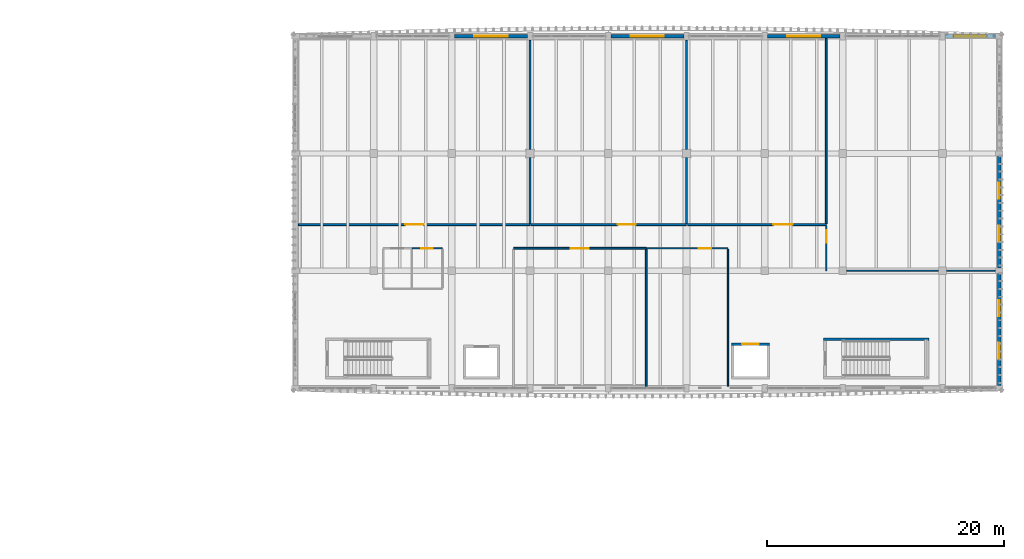
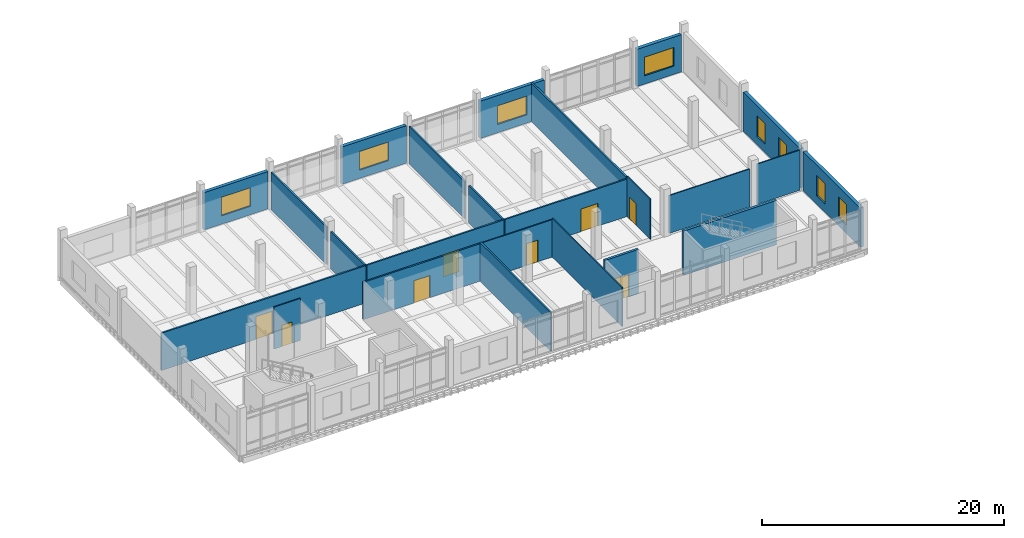
# One storey, part 57 of 76: 24 walls, 8 doors, 8 windows, 16 openings.
"""IFC4 building model written with IfcOpenShell, lengths in metres."""

import ifcopenshell
import ifcopenshell.guid

model = None  # the IFC model being written
_history = None  # IfcOwnerHistory: only IFC2X3 demands one
_inside = {}  # id of a spatial element -> (the spatial element, [elements in it])
_under = {}  # id of a project, library or spatial element -> (it, [spatial elements below it])
_declared = {}  # id of a project -> (the project, [libraries it declares])
_typed = {}  # id of a type object -> (the type object, [elements of that type])
_made_of = {}  # id of a material, layer set ... -> (it, [elements and type objects made of it])


def new_model(schema):
    """Start an empty IFC model of exactly this schema.

    Asked for "IFC4X3", IfcOpenShell would pick the latest addendum, in which some entities
    have other attributes; the version numbers below select the first issue.
    IFC2X3 requires an IfcOwnerHistory on every rooted entity: one is made here for all.
    """
    global model, _history
    if schema == "IFC4X3":
        model = ifcopenshell.file(schema_version=(4, 3, 0, 0))
    else:
        model = ifcopenshell.file(schema=schema)
    _inside.clear()
    _under.clear()
    _declared.clear()
    _typed.clear()
    _made_of.clear()
    _history = None
    if model.schema == "IFC2X3":
        org = make("IfcOrganization", Name="unknown")
        user = make(
            "IfcPersonAndOrganization",
            ThePerson=make("IfcPerson", FamilyName="unknown"),
            TheOrganization=org,
        )
        app = make(
            "IfcApplication",
            ApplicationDeveloper=org,
            Version="unknown",
            ApplicationFullName="unknown",
            ApplicationIdentifier="unknown",
        )
        _history = make(
            "IfcOwnerHistory",
            OwningUser=user,
            OwningApplication=app,
            ChangeAction="ADDED",
            CreationDate=0,
        )
    return model


def make(cls, **values):
    """One entity of the class cls with the attributes given. An attribute that is None is left unset."""
    return model.create_entity(
        cls, **{name: value for name, value in values.items() if value is not None}
    )


def rooted(cls, **values):
    """An entity with a GlobalId (a new one), such as an element, a storey or a relation."""
    return make(cls, GlobalId=ifcopenshell.guid.new(), OwnerHistory=_history, **values)


def si_unit(unit_type, name, prefix=None):
    """IfcSIUnit, for example si_unit("LENGTHUNIT", "METRE", prefix="MILLI")."""
    return make("IfcSIUnit", UnitType=unit_type, Prefix=prefix, Name=name)


def assignment(units):
    """IfcUnitAssignment: the units of a project."""
    return None if units is None else make("IfcUnitAssignment", Units=units)


def point(xyz):
    """IfcCartesianPoint."""
    return None if xyz is None else make("IfcCartesianPoint", Coordinates=xyz)


def direction(xyz):
    """IfcDirection."""
    return None if xyz is None else make("IfcDirection", DirectionRatios=xyz)


def frame(location, z_axis=None, x_axis=None):
    """IfcAxis2Placement3D, a coordinate frame: its origin and axes. An axis left out is left unset."""
    return make(
        "IfcAxis2Placement3D",
        Location=point(location),
        Axis=direction(z_axis),
        RefDirection=direction(x_axis),
    )


def frame_2d(location, x_axis=None):
    """IfcAxis2Placement2D, a coordinate frame in the plane: its origin and x axis."""
    return make(
        "IfcAxis2Placement2D", Location=point(location), RefDirection=direction(x_axis)
    )


def origin():
    """The frame at (0, 0, 0) with its axes left unset."""
    return frame((0.0, 0.0, 0.0))


def place(relative_to, where):
    """IfcLocalPlacement: puts the frame where relative to a parent placement (None: the world)."""
    return make(
        "IfcLocalPlacement", PlacementRelTo=relative_to, RelativePlacement=where
    )


def context(
    kind, dimensions, precision=None, world=None, true_north=None, identifier=None
):
    """IfcGeometricRepresentationContext, for example the 3D "Model" context."""
    return make(
        "IfcGeometricRepresentationContext",
        ContextIdentifier=identifier,
        ContextType=kind,
        CoordinateSpaceDimension=dimensions,
        Precision=precision,
        WorldCoordinateSystem=world,
        TrueNorth=true_north,
    )


def subcontext(parent, identifier, kind, view, scale=None):
    """IfcGeometricRepresentationSubContext, for example "Body" below "Model"."""
    return make(
        "IfcGeometricRepresentationSubContext",
        ContextIdentifier=identifier,
        ContextType=kind,
        ParentContext=parent,
        TargetScale=scale,
        TargetView=view,
    )


def project(units=None, contexts=None):
    """IfcProject with its units and contexts."""
    return rooted(
        "IfcProject",
        Name="project",
        RepresentationContexts=contexts,
        UnitsInContext=assignment(units),
    )


def spatial(cls, under=None, at=None, **own):
    """A site, building, storey or space (cls), placed at a placement, below another one or the project."""
    s = rooted(cls, ObjectPlacement=at, **own)
    if under is not None:
        _under.setdefault(under.id(), (under, []))[1].append(s)
    return s


def profile(cls, at=None, kind="AREA", **sizes):
    """A parametric profile (cls). Its sizes go by their IFC names, for example OverallWidth=200.0."""
    return make(cls, ProfileType=kind, Position=at, **sizes)


def rectangle(**sizes):
    """IfcRectangleProfileDef."""
    return profile("IfcRectangleProfileDef", **sizes)


def extrude(swept, where, along, depth):
    """IfcExtrudedAreaSolid: the profile swept, set in the frame where, extruded along a direction by depth."""
    return make(
        "IfcExtrudedAreaSolid",
        SweptArea=swept,
        Position=where,
        ExtrudedDirection=direction(along),
        Depth=depth,
    )


def shape(context_of_items, identifier, shape_type, items):
    """IfcShapeRepresentation: the items that make up one representation, for example the "Body"."""
    return make(
        "IfcShapeRepresentation",
        ContextOfItems=context_of_items,
        RepresentationIdentifier=identifier,
        RepresentationType=shape_type,
        Items=items,
    )


def material(Name=None, Category=None):
    """IfcMaterial."""
    return make("IfcMaterial", Name=Name, Category=Category)


def layer(
    of_material, thickness, ventilated=None, Name=None, Category=None, Priority=None
):
    """IfcMaterialLayer: one layer of a wall or slab, of a material (None: an air gap)."""
    return make(
        "IfcMaterialLayer",
        Material=of_material,
        LayerThickness=thickness,
        IsVentilated=ventilated,
        Name=Name,
        Category=Category,
        Priority=Priority,
    )


def layer_set(layers, Name=None):
    """IfcMaterialLayerSet."""
    return make("IfcMaterialLayerSet", MaterialLayers=layers, LayerSetName=Name)


def made_of(thing, what):
    """Note that an element or type object is made of a material, layer set ...; save() writes the relation."""
    if what is not None:
        _made_of.setdefault(what.id(), (what, []))[1].append(thing)
    return thing


def type_object(cls, material=None, **own):
    """A type object (cls), such as IfcWallType, which elements share."""
    return made_of(rooted(cls, **own), material)


def element(
    cls,
    number,
    at=None,
    inside=None,
    cuts=None,
    type_object=None,
    material=None,
    context=None,
    identifier="Body",
    shape_type=None,
    held_by="IfcProductDefinitionShape",
    body=None,
    shapes=None,
    **own,
):
    """One element of the class cls, such as IfcWall. Its Tag is "e" and its number.

    at: its placement. inside: the storey or other place that contains it. cuts: it is an
    opening in that element (IfcRelVoidsElement). A single representation is given by context,
    identifier, shape_type and body (its items); several are given by shapes. held_by: the class
    of the entity that holds the representations. save() writes the other relations.
    """
    e = rooted(cls, Tag="e%d" % number, ObjectPlacement=at, **own)
    if body is not None:
        shapes = [shape(context, identifier, shape_type, body)]
    if shapes is not None:
        e.Representation = make(held_by, Representations=shapes)
    if inside is not None:
        _inside.setdefault(inside.id(), (inside, []))[1].append(e)
    if cuts is not None:
        rooted(
            "IfcRelVoidsElement", RelatingBuildingElement=cuts, RelatedOpeningElement=e
        )
    if type_object is not None:
        _typed.setdefault(type_object.id(), (type_object, []))[1].append(e)
    return made_of(e, material)


def fill(opening, filler):
    """IfcRelFillsElement: the door or window that sits in an opening."""
    return rooted(
        "IfcRelFillsElement",
        RelatingOpeningElement=opening,
        RelatedBuildingElement=filler,
    )


def aggregate(whole, parts):
    """IfcRelAggregates: a whole, such as a stair, and the parts it consists of."""
    return rooted("IfcRelAggregates", RelatingObject=whole, RelatedObjects=parts)


def save(model, path):
    """Write the relations noted so far, then the file.

    IfcRelAggregates (storeys below a building ...), IfcRelContainedInSpatialStructure (elements
    in a storey), IfcRelDefinesByType, IfcRelAssociatesMaterial and IfcRelDeclares: one each for
    every whole, place, type object, material and project.
    """
    for whole, parts in _under.values():
        aggregate(whole, parts)
    for where, things in _inside.values():
        rooted(
            "IfcRelContainedInSpatialStructure",
            RelatedElements=things,
            RelatingStructure=where,
        )
    for kind, things in _typed.values():
        rooted("IfcRelDefinesByType", RelatedObjects=things, RelatingType=kind)
    for what, things in _made_of.values():
        rooted("IfcRelAssociatesMaterial", RelatedObjects=things, RelatingMaterial=what)
    for by, libraries in _declared.values():
        rooted("IfcRelDeclares", RelatingContext=by, RelatedDefinitions=libraries)
    model.write(path)


model = new_model("IFC4")

# Units and contexts
model_context = context("Model", 3, precision=1e-05, world=origin(), true_north=direction((0.0, 1.0)))
body_context = subcontext(model_context, "Body", "Model", "MODEL_VIEW")
ifc_project = project(units=[si_unit("LENGTHUNIT", "METRE"), si_unit("AREAUNIT", "SQUARE_METRE"), si_unit("VOLUMEUNIT", "CUBIC_METRE"), si_unit("PLANEANGLEUNIT", "RADIAN"), si_unit("MASSUNIT", "GRAM", prefix="KILO")], contexts=[model_context])

# Site, building, storey
site_placement = place(None, origin())
site = spatial("IfcSite", under=ifc_project, at=site_placement, CompositionType="ELEMENT")
building_placement = place(site_placement, origin())
building = spatial("IfcBuilding", under=site, at=building_placement, Name="Dornvale Research Institute", CompositionType="ELEMENT")
storey_placement = place(building_placement, frame((0.0, 0.0, 15.0)))
storey = spatial("IfcBuildingStorey", under=building, at=storey_placement, Name="L03", CompositionType="ELEMENT", Elevation=15.0)

# Wall, opening, door
ifc_material_1 = material(Name="Acoustic Insulated Double-Stud Laboratory Partition")
ifc_layer_1 = layer(ifc_material_1, 0.14990234375)
ifc_layer_set_1 = layer_set([ifc_layer_1], Name="Acoustic Insulated Double-Stud Laboratory Partition")
wall_type_1 = type_object("IfcWallType", Name="Partition_Lab_150", PredefinedType="PARTITIONING", material=ifc_layer_set_1)
wall_1_placement = place(storey_placement, frame((119.0400390625, 106.199951171875, 0.0), z_axis=(0.0, 0.0, 1.0), x_axis=(1.0, 0.0, 0.0)))
wall_1 = element("IfcWall", 1, at=wall_1_placement, inside=storey, type_object=wall_type_1, Name="L03 V4 interior partition #360", PredefinedType="PARTITIONING", context=body_context, shape_type="SweptSolid", body=[
    extrude(rectangle(XDim=19.56005859375, YDim=0.14990234375, at=frame_2d((9.780029296875, 0.0))), origin(), (0.0, 0.0, 1.0), 3.780029296875),
])
opening_1_placement = place(wall_1_placement, frame((9.02001953125, 0.0, 0.0)))
opening_1 = element("IfcOpeningElement", 2, at=opening_1_placement, cuts=wall_1, Name="Opening ID-05", PredefinedType="OPENING", context=body_context, shape_type="SweptSolid", body=[
    extrude(rectangle(XDim=1.56005859375, YDim=2.300048828125, at=frame_2d((0.780029296875, 1.14990234375))), frame((0.0, 0.08984375, 0.0), z_axis=(0.0, -1.0, 0.0), x_axis=(1.0, 0.0, 0.0)), (0.0, 0.0, 1.0), 0.179931640625),
])
ifc_material_2 = material(Name="Insulated Fire-Rated Hollow Metal Door Assembly")
door_type_1 = type_object("IfcDoorType", Name="Door_WetLab_1560x2300", OperationType="SINGLE_SWING_LEFT", PredefinedType="DOOR", material=ifc_material_2)
door_1_placement = place(opening_1_placement, origin())
door_1 = element("IfcDoor", 3, at=door_1_placement, inside=storey, type_object=door_type_1, Name="L03 Systems Biology Wet Laboratory door #146", OperationType="SINGLE_SWING_LEFT", OverallHeight=2.300048828125, OverallWidth=1.56005859375, PredefinedType="DOOR", context=body_context, shape_type="SweptSolid", body=[
    extrude(rectangle(XDim=1.56005859375, YDim=2.300048828125, at=frame_2d((0.780029296875, 1.14990234375))), frame((0.0, 0.02490234375, 0.0), z_axis=(0.0, -1.0, 0.0), x_axis=(1.0, 0.0, 0.0)), (0.0, 0.0, 1.0), 0.050048828125),
])
fill(opening_1, door_1)

# Walls
wall_2_placement = place(storey_placement, frame((138.60009765625, 106.2900390625, 0.0), z_axis=(0.0, 0.0, 1.0), x_axis=(0.0, 1.0, 0.0)))
element("IfcWall", 4, at=wall_2_placement, inside=storey, type_object=wall_type_1, Name="L03 V4 interior partition #361", PredefinedType="PARTITIONING", context=body_context, shape_type="SweptSolid", body=[
    extrude(rectangle(XDim=5.56494140625, YDim=0.14990234375, at=frame_2d((2.782470703125, 0.0))), origin(), (0.0, 0.0, 1.0), 3.780029296875),
])
wall_3_placement = place(storey_placement, frame((138.60009765625, 112.544921875, 0.0), z_axis=(0.0, 0.0, 1.0), x_axis=(0.0, 1.0, 0.0)))
element("IfcWall", 5, at=wall_3_placement, inside=storey, type_object=wall_type_1, Name="L03 V4 interior partition #362", PredefinedType="PARTITIONING", context=body_context, shape_type="SweptSolid", body=[
    extrude(rectangle(XDim=9.2099609375, YDim=0.14990234375, at=frame_2d((4.60498046875, 0.0))), origin(), (0.0, 0.0, 1.0), 3.780029296875),
])

# Wall, opening, door
wall_4_placement = place(storey_placement, frame((138.68994140625, 106.199951171875, 0.0), z_axis=(0.0, 0.0, 1.0), x_axis=(1.0, 0.0, 0.0)))
wall_4 = element("IfcWall", 6, at=wall_4_placement, inside=storey, type_object=wall_type_1, Name="L03 V4 interior partition #363", PredefinedType="PARTITIONING", context=body_context, shape_type="SweptSolid", body=[
    extrude(rectangle(XDim=13.110107421875, YDim=0.14990234375, at=frame_2d((6.55517578125, 0.0))), origin(), (0.0, 0.0, 1.0), 3.780029296875),
])
opening_2_placement = place(wall_4_placement, frame((7.31005859375, 0.0, 0.0)))
opening_2 = element("IfcOpeningElement", 7, at=opening_2_placement, cuts=wall_4, Name="Opening ID-06", PredefinedType="OPENING", context=body_context, shape_type="SweptSolid", body=[
    extrude(rectangle(XDim=1.5, YDim=2.25, at=frame_2d((0.75, 1.125))), frame((0.0, 0.08984375, 0.0), z_axis=(0.0, -1.0, 0.0), x_axis=(1.0, 0.0, 0.0)), (0.0, 0.0, 1.0), 0.179931640625),
])
ifc_material_3 = material(Name="Insulated Fire-Rated Hollow Metal Door Assembly")
door_type_2 = type_object("IfcDoorType", Name="Door_WetLab_1500x2250", OperationType="SINGLE_SWING_LEFT", PredefinedType="DOOR", material=ifc_material_3)
door_2_placement = place(opening_2_placement, origin())
door_2 = element("IfcDoor", 8, at=door_2_placement, inside=storey, type_object=door_type_2, Name="L03 Proteomics and Mass Spectrometry Suite door #147", OperationType="SINGLE_SWING_RIGHT", OverallHeight=2.25, OverallWidth=1.5, PredefinedType="DOOR", context=body_context, shape_type="SweptSolid", body=[
    extrude(rectangle(XDim=1.5, YDim=2.25, at=frame_2d((0.75, 1.125))), frame((0.0, 0.02490234375, 0.0), z_axis=(0.0, -1.0, 0.0), x_axis=(1.0, 0.0, 0.0)), (0.0, 0.0, 1.0), 0.050048828125),
])
fill(opening_2, door_2)

# Walls
wall_5_placement = place(storey_placement, frame((151.800048828125, 106.2900390625, 0.0), z_axis=(0.0, 0.0, 1.0), x_axis=(0.0, 1.0, 0.0)))
element("IfcWall", 9, at=wall_5_placement, inside=storey, type_object=wall_type_1, Name="L03 V4 interior partition #364", PredefinedType="PARTITIONING", context=body_context, shape_type="SweptSolid", body=[
    extrude(rectangle(XDim=5.56494140625, YDim=0.14990234375, at=frame_2d((2.782470703125, 0.0))), origin(), (0.0, 0.0, 1.0), 3.780029296875),
])
wall_6_placement = place(storey_placement, frame((151.800048828125, 112.544921875, 0.0), z_axis=(0.0, 0.0, 1.0), x_axis=(0.0, 1.0, 0.0)))
element("IfcWall", 10, at=wall_6_placement, inside=storey, type_object=wall_type_1, Name="L03 V4 interior partition #365", PredefinedType="PARTITIONING", context=body_context, shape_type="SweptSolid", body=[
    extrude(rectangle(XDim=9.2099609375, YDim=0.14990234375, at=frame_2d((4.60498046875, 0.0))), origin(), (0.0, 0.0, 1.0), 3.780029296875),
])

# Wall, opening, door
wall_7_placement = place(storey_placement, frame((151.889892578125, 106.199951171875, 0.0), z_axis=(0.0, 0.0, 1.0), x_axis=(1.0, 0.0, 0.0)))
wall_7 = element("IfcWall", 11, at=wall_7_placement, inside=storey, type_object=wall_type_1, Name="L03 V4 interior partition #366", PredefinedType="PARTITIONING", context=body_context, shape_type="SweptSolid", body=[
    extrude(rectangle(XDim=11.710205078125, YDim=0.14990234375, at=frame_2d((5.85498046875, 0.0))), origin(), (0.0, 0.0, 1.0), 3.780029296875),
])
opening_3_placement = place(wall_7_placement, frame((7.25, 0.0, 0.0)))
opening_3 = element("IfcOpeningElement", 12, at=opening_3_placement, cuts=wall_7, Name="Opening ID-04", PredefinedType="OPENING", context=body_context, shape_type="SweptSolid", body=[
    extrude(rectangle(XDim=1.6201171875, YDim=2.300048828125, at=frame_2d((0.81005859375, 1.14990234375))), frame((0.0, 0.08984375, 0.0), z_axis=(0.0, -1.0, 0.0), x_axis=(1.0, 0.0, 0.0)), (0.0, 0.0, 1.0), 0.179931640625),
])
ifc_material_4 = material(Name="Insulated Fire-Rated Hollow Metal Door Assembly")
door_type_3 = type_object("IfcDoorType", Name="Door_WetLab_1620x2300", OperationType="SINGLE_SWING_LEFT", PredefinedType="DOOR", material=ifc_material_4)
door_3_placement = place(opening_3_placement, origin())
door_3 = element("IfcDoor", 13, at=door_3_placement, inside=storey, type_object=door_type_3, Name="L03 Media Preparation and Autoclave Room door #148", OperationType="SINGLE_SWING_LEFT", OverallHeight=2.300048828125, OverallWidth=1.6201171875, PredefinedType="DOOR", context=body_context, shape_type="SweptSolid", body=[
    extrude(rectangle(XDim=1.6201171875, YDim=2.300048828125, at=frame_2d((0.81005859375, 1.14990234375))), frame((0.0, 0.02490234375, 0.0), z_axis=(0.0, -1.0, 0.0), x_axis=(1.0, 0.0, 0.0)), (0.0, 0.0, 1.0), 0.050048828125),
])
fill(opening_3, door_3)

# Wall
wall_8_placement = place(storey_placement, frame((163.60009765625, 106.2900390625, 0.0), z_axis=(0.0, 0.0, 1.0), x_axis=(0.0, 1.0, 0.0)))
element("IfcWall", 14, at=wall_8_placement, inside=storey, type_object=wall_type_1, Name="L03 V4 interior partition #367", PredefinedType="PARTITIONING", context=body_context, shape_type="SweptSolid", body=[
    extrude(rectangle(XDim=15.635009765625, YDim=0.14990234375, at=frame_2d((7.8173828125, 0.0))), origin(), (0.0, 0.0, 1.0), 3.929931640625),
])

# Wall, opening, door
wall_9_placement = place(storey_placement, frame((137.199951171875, 104.199951171875, 0.0), z_axis=(0.0, 0.0, 1.0), x_axis=(1.0, 0.0, 0.0)))
wall_9 = element("IfcWall", 15, at=wall_9_placement, inside=storey, type_object=wall_type_1, Name="L03 V4 interior partition #371", PredefinedType="PARTITIONING", context=body_context, shape_type="SweptSolid", body=[
    extrude(rectangle(XDim=11.199951171875, YDim=0.14990234375, at=frame_2d((5.60009765625, 0.0))), origin(), (0.0, 0.0, 1.0), 3.780029296875),
])
opening_4_placement = place(wall_9_placement, frame((4.85009765625, 0.0, 0.0)))
opening_4 = element("IfcOpeningElement", 16, at=opening_4_placement, cuts=wall_9, Name="Opening ID-06", PredefinedType="OPENING", context=body_context, shape_type="SweptSolid", body=[
    extrude(rectangle(XDim=1.5, YDim=2.25, at=frame_2d((0.75, 1.125))), frame((0.0, 0.08984375, 0.0), z_axis=(0.0, -1.0, 0.0), x_axis=(1.0, 0.0, 0.0)), (0.0, 0.0, 1.0), 0.179931640625),
])
door_4_placement = place(opening_4_placement, origin())
door_4 = element("IfcDoor", 17, at=door_4_placement, inside=storey, type_object=door_type_2, Name="L03 Laboratory Instrument Support Room L03 door #150", OperationType="SINGLE_SWING_LEFT", OverallHeight=2.25, OverallWidth=1.5, PredefinedType="DOOR", context=body_context, shape_type="SweptSolid", body=[
    extrude(rectangle(XDim=1.5, YDim=2.25, at=frame_2d((0.75, 1.125))), frame((0.0, 0.02490234375, 0.0), z_axis=(0.0, -1.0, 0.0), x_axis=(1.0, 0.0, 0.0)), (0.0, 0.0, 1.0), 0.050048828125),
])
fill(opening_4, door_4)

# Wall
wall_10_placement = place(storey_placement, frame((148.39990234375, 92.43994140625, 0.0), z_axis=(0.0, 0.0, 1.0), x_axis=(0.0, 1.0, 0.0)))
element("IfcWall", 18, at=wall_10_placement, inside=storey, type_object=wall_type_1, Name="L03 V4 interior partition #373", PredefinedType="PARTITIONING", context=body_context, shape_type="SweptSolid", body=[
    extrude(rectangle(XDim=11.670166015625, YDim=0.14990234375, at=frame_2d((5.8349609375, 0.0))), origin(), (0.0, 0.0, 1.0), 3.929931640625),
])

# Wall, opening, door
ifc_material_5 = material(Name="Acoustic Insulated Double-Stud Laboratory Partition")
ifc_layer_2 = layer(ifc_material_5, 0.10009765625)
ifc_layer_set_2 = layer_set([ifc_layer_2], Name="Acoustic Insulated Double-Stud Laboratory Partition")
wall_type_2 = type_object("IfcWallType", Name="Partition_Office_100", PredefinedType="PARTITIONING", material=ifc_layer_set_2)
wall_11_placement = place(storey_placement, frame((128.6650390625, 104.199951171875, 0.0), z_axis=(0.0, 0.0, 1.0), x_axis=(1.0, 0.0, 0.0)))
wall_11 = element("IfcWall", 19, at=wall_11_placement, inside=storey, type_object=wall_type_2, Name="L03 V4 interior partition #358", PredefinedType="PARTITIONING", context=body_context, shape_type="SweptSolid", body=[
    extrude(rectangle(XDim=2.534912109375, YDim=0.10009765625, at=frame_2d((1.267578125, 0.0))), origin(), (0.0, 0.0, 1.0), 4.2451171875),
])
opening_5_placement = place(wall_11_placement, frame((0.760009765625, 0.0, 0.0)))
opening_5 = element("IfcOpeningElement", 20, at=opening_5_placement, cuts=wall_11, Name="Opening ID-23", PredefinedType="OPENING", context=body_context, shape_type="SweptSolid", body=[
    extrude(rectangle(XDim=0.949951171875, YDim=2.14990234375, at=frame_2d((0.47509765625, 1.074951171875))), frame((0.0, 0.06494140625, 0.0), z_axis=(0.0, -1.0, 0.0), x_axis=(1.0, 0.0, 0.0)), (0.0, 0.0, 1.0), 0.130126953125),
])
ifc_material_6 = material(Name="Phenolic-Faced Solid-Core Laboratory Door Assembly")
door_type_4 = type_object("IfcDoorType", Name="Door_WC_950x2150", OperationType="SINGLE_SWING_LEFT", PredefinedType="DOOR", material=ifc_material_6)
door_5_placement = place(opening_5_placement, origin())
door_5 = element("IfcDoor", 21, at=door_5_placement, inside=storey, type_object=door_type_4, Name="L03 Wet Wing Female and Accessible Restroom L03 door #145", OperationType="SINGLE_SWING_RIGHT", OverallHeight=2.14990234375, OverallWidth=0.949951171875, PredefinedType="DOOR", context=body_context, shape_type="SweptSolid", body=[
    extrude(rectangle(XDim=0.949951171875, YDim=2.14990234375, at=frame_2d((0.47509765625, 1.074951171875))), frame((0.0, 0.02490234375, 0.0), z_axis=(0.0, -1.0, 0.0), x_axis=(1.0, 0.0, 0.0)), (0.0, 0.0, 1.0), 0.050048828125),
])
fill(opening_5, door_5)

# Walls
wall_12_placement = place(storey_placement, frame((165.344970703125, 102.300048828125, 0.0), z_axis=(0.0, 0.0, 1.0), x_axis=(1.0, 0.0, 0.0)))
element("IfcWall", 22, at=wall_12_placement, inside=storey, type_object=wall_type_2, Name="L03 V4 interior partition #368", PredefinedType="PARTITIONING", context=body_context, shape_type="SweptSolid", body=[
    extrude(rectangle(XDim=7.7099609375, YDim=0.10009765625, at=frame_2d((3.85498046875, 0.0))), origin(), (0.0, 0.0, 1.0), 3.830078125),
])
wall_13_placement = place(storey_placement, frame((173.7451171875, 102.300048828125, 0.0), z_axis=(0.0, 0.0, 1.0), x_axis=(1.0, 0.0, 0.0)))
element("IfcWall", 23, at=wall_13_placement, inside=storey, type_object=wall_type_2, Name="L03 V4 interior partition #369", PredefinedType="PARTITIONING", context=body_context, shape_type="SweptSolid", body=[
    extrude(rectangle(XDim=4.10986328125, YDim=0.10009765625, at=frame_2d((2.054931640625, 0.0))), origin(), (0.0, 0.0, 1.0), 4.06494140625),
])

# Wall, opening, door
wall_14_placement = place(storey_placement, frame((163.60009765625, 102.300048828125, 0.0), z_axis=(0.0, 0.0, 1.0), x_axis=(0.0, 1.0, 0.0)))
wall_14 = element("IfcWall", 24, at=wall_14_placement, inside=storey, type_object=wall_type_2, Name="L03 V4 interior partition #370", PredefinedType="PARTITIONING", context=body_context, shape_type="SweptSolid", body=[
    extrude(rectangle(XDim=3.81005859375, YDim=0.10009765625, at=frame_2d((1.905029296875, 0.0))), origin(), (0.0, 0.0, 1.0), 4.06494140625),
])
opening_6_placement = place(wall_14_placement, frame((2.3701171875, 0.0, 0.0)))
opening_6 = element("IfcOpeningElement", 25, at=opening_6_placement, cuts=wall_14, Name="Opening ID-19", PredefinedType="OPENING", context=body_context, shape_type="SweptSolid", body=[
    extrude(rectangle(XDim=1.06005859375, YDim=2.199951171875, at=frame_2d((0.530029296875, 1.10009765625))), frame((0.0, 0.06494140625, 0.0), z_axis=(0.0, -1.0, 0.0), x_axis=(1.0, 0.0, 0.0)), (0.0, 0.0, 1.0), 0.130126953125),
])
ifc_material_7 = material(Name="Phenolic-Faced Solid-Core Laboratory Door Assembly")
door_type_5 = type_object("IfcDoorType", Name="Door_WriteUp_1060x2200", OperationType="SINGLE_SWING_LEFT", PredefinedType="DOOR", material=ifc_material_7)
door_6_placement = place(opening_6_placement, origin())
door_6 = element("IfcDoor", 26, at=door_6_placement, inside=storey, type_object=door_type_5, Name="L03 Researcher Write-Up Studio L03-V4 door #149", OperationType="SINGLE_SWING_RIGHT", OverallHeight=2.199951171875, OverallWidth=1.06005859375, PredefinedType="DOOR", context=body_context, shape_type="SweptSolid", body=[
    extrude(rectangle(XDim=1.06005859375, YDim=2.199951171875, at=frame_2d((0.530029296875, 1.10009765625))), frame((0.0, 0.02490234375, 0.0), z_axis=(0.0, -1.0, 0.0), x_axis=(1.0, 0.0, 0.0)), (0.0, 0.0, 1.0), 0.050048828125),
])
fill(opening_6, door_6)

wall_15_placement = place(storey_placement, frame((148.4150390625, 104.199951171875, 0.0), z_axis=(0.0, 0.0, 1.0), x_axis=(1.0, 0.0, 0.0)))
wall_15 = element("IfcWall", 27, at=wall_15_placement, inside=storey, type_object=wall_type_2, Name="L03 V4 interior partition #374", PredefinedType="PARTITIONING", context=body_context, shape_type="SweptSolid", body=[
    extrude(rectangle(XDim=6.885009765625, YDim=0.10009765625, at=frame_2d((3.4423828125, 0.0))), origin(), (0.0, 0.0, 1.0), 3.780029296875),
])
opening_7_placement = place(wall_15_placement, frame((4.405029296875, 0.0, 0.0)))
opening_7 = element("IfcOpeningElement", 28, at=opening_7_placement, cuts=wall_15, Name="Opening ID-19", PredefinedType="OPENING", context=body_context, shape_type="SweptSolid", body=[
    extrude(rectangle(XDim=1.06005859375, YDim=2.199951171875, at=frame_2d((0.530029296875, 1.10009765625))), frame((0.0, 0.06494140625, 0.0), z_axis=(0.0, -1.0, 0.0), x_axis=(1.0, 0.0, 0.0)), (0.0, 0.0, 1.0), 0.130126953125),
])
door_7_placement = place(opening_7_placement, origin())
door_7 = element("IfcDoor", 29, at=door_7_placement, inside=storey, type_object=door_type_5, Name="L03 Wet Laboratory Write-Up Bays L03 door #151", OperationType="SINGLE_SWING_RIGHT", OverallHeight=2.199951171875, OverallWidth=1.06005859375, PredefinedType="DOOR", context=body_context, shape_type="SweptSolid", body=[
    extrude(rectangle(XDim=1.06005859375, YDim=2.199951171875, at=frame_2d((0.530029296875, 1.10009765625))), frame((0.0, 0.02490234375, 0.0), z_axis=(0.0, -1.0, 0.0), x_axis=(1.0, 0.0, 0.0)), (0.0, 0.0, 1.0), 0.050048828125),
])
fill(opening_7, door_7)

# Walls
wall_16_placement = place(storey_placement, frame((155.300048828125, 92.574951171875, 0.0), z_axis=(0.0, 0.0, 1.0), x_axis=(0.0, 1.0, 0.0)))
element("IfcWall", 30, at=wall_16_placement, inside=storey, type_object=wall_type_2, Name="L03 V4 interior partition #375", PredefinedType="PARTITIONING", context=body_context, shape_type="SweptSolid", body=[
    extrude(rectangle(XDim=11.56005859375, YDim=0.10009765625, at=frame_2d((5.780029296875, 0.0))), origin(), (0.0, 0.0, 1.0), 3.929931640625),
])
ifc_material_8 = material(Name="Concrete f'c 45 MPa (C35/45)", Category="concrete")
ifc_layer_3 = layer(ifc_material_8, 0.25)
ifc_layer_set_3 = layer_set([ifc_layer_3], Name="Concrete f'c 45 MPa (C35/45)")
wall_type_3 = type_object("IfcWallType", Name="ShearWall_Core_250", PredefinedType="SHEAR", material=ifc_layer_set_3)
wall_17_placement = place(storey_placement, frame((163.35009765625, 96.52490234375, 0.0), z_axis=(0.0, 0.0, 1.0), x_axis=(1.0, 0.0, 0.0)))
element("IfcWall", 31, at=wall_17_placement, inside=storey, type_object=wall_type_3, Name="L03 ST-4 shaft shear wall north", PredefinedType="SHEAR", context=body_context, shape_type="SweptSolid", body=[
    extrude(rectangle(XDim=8.89990234375, YDim=0.25, at=frame_2d((4.449951171875, 0.0))), origin(), (0.0, 0.0, 1.0), 4.47998046875),
])

# Wall, opening, door
ifc_material_9 = material(Name="Concrete f'c 45 MPa (C35/45)", Category="concrete")
ifc_layer_4 = layer(ifc_material_9, 0.219970703125)
ifc_layer_set_4 = layer_set([ifc_layer_4], Name="Concrete f'c 45 MPa (C35/45)")
wall_type_4 = type_object("IfcWallType", Name="ShearWall_Shaft_220", PredefinedType="SHEAR", material=ifc_layer_set_4)
wall_18_placement = place(storey_placement, frame((155.580078125, 96.110107421875, 0.0), z_axis=(0.0, 0.0, 1.0), x_axis=(1.0, 0.0, 0.0)))
wall_18 = element("IfcWall", 32, at=wall_18_placement, inside=storey, type_object=wall_type_4, Name="L03 LS1 elevator shaft wall north", PredefinedType="SHEAR", context=body_context, shape_type="SweptSolid", body=[
    extrude(rectangle(XDim=3.239990234375, YDim=0.219970703125, at=frame_2d((1.6201171875, 0.0))), origin(), (0.0, 0.0, 1.0), 4.47998046875),
])
opening_8_placement = place(wall_18_placement, frame((0.919921875, 0.0, 0.0)))
opening_8 = element("IfcOpeningElement", 33, at=opening_8_placement, cuts=wall_18, Name="Opening LD-03", PredefinedType="OPENING", context=body_context, shape_type="SweptSolid", body=[
    extrude(rectangle(XDim=1.39990234375, YDim=2.300048828125, at=frame_2d((0.699951171875, 1.14990234375))), frame((0.0, 0.125, 0.0), z_axis=(0.0, -1.0, 0.0), x_axis=(1.0, 0.0, 0.0)), (0.0, 0.0, 1.0), 0.25),
])
ifc_material_10 = material(Name="Brushed Stainless Steel Sliding Elevator Landing Door", Category="steel")
door_type_6 = type_object("IfcDoorType", Name="Door_LiftLanding_Serv_1400x2300", OperationType="SINGLE_SWING_LEFT", PredefinedType="DOOR", material=ifc_material_10)
door_8_placement = place(opening_8_placement, origin())
door_8 = element("IfcDoor", 34, at=door_8_placement, inside=storey, type_object=door_type_6, Name="L03 LS1 sliding elevator landing door #49", OperationType="DOUBLE_DOOR_SLIDING", OverallHeight=2.300048828125, OverallWidth=1.39990234375, PredefinedType="DOOR", context=body_context, shape_type="SweptSolid", body=[
    extrude(rectangle(XDim=1.39990234375, YDim=2.300048828125, at=frame_2d((0.699951171875, 1.14990234375))), frame((0.0, 0.02490234375, 0.0), z_axis=(0.0, -1.0, 0.0), x_axis=(1.0, 0.0, 0.0)), (0.0, 0.0, 1.0), 0.050048828125),
])
fill(opening_8, door_8)

# Wall, opening, window
ifc_material_11 = material(Name="Catalan Pressed Brick and Insulated Cavity Assembly", Category="masonry")
ifc_layer_5 = layer(ifc_material_11, 0.320068359375)
ifc_layer_set_5 = layer_set([ifc_layer_5], Name="Catalan Pressed Brick and Insulated Cavity Assembly")
wall_type_5 = type_object("IfcWallType", Name="StandardWall_BrickCavity_320", PredefinedType="STANDARD", material=ifc_layer_set_5)
wall_19_placement = place(storey_placement, frame((132.22509765625, 122.10009765625, 0.0), z_axis=(0.0, 0.0, 1.0), x_axis=(1.0, 0.0, 0.0)))
wall_19 = element("IfcWall", 35, at=wall_19_placement, inside=storey, type_object=wall_type_5, Name="L03 V4 north exterior wall #235", PredefinedType="STANDARD", context=body_context, shape_type="SweptSolid", body=[
    extrude(rectangle(XDim=6.14990234375, YDim=0.320068359375, at=frame_2d((3.074951171875, 0.0))), origin(), (0.0, 0.0, 1.0), 3.780029296875),
])
opening_9_placement = place(wall_19_placement, frame((1.675048828125, 0.0, 0.85009765625)))
opening_9 = element("IfcOpeningElement", 36, at=opening_9_placement, cuts=wall_19, Name="Opening W-35", PredefinedType="OPENING", context=body_context, shape_type="SweptSolid", body=[
    extrude(rectangle(XDim=2.800048828125, YDim=1.8798828125, at=frame_2d((1.39990234375, 0.93994140625))), frame((0.0, 0.175048828125, 0.0), z_axis=(0.0, -1.0, 0.0), x_axis=(1.0, 0.0, 0.0)), (0.0, 0.0, 1.0), 0.35009765625),
])
ifc_material_12 = material(Name="Low-E Argon Double Insulating Glazing Unit", Category="glass")
window_type_1 = type_object("IfcWindowType", Name="Window_Alu_2800x1880_35", PartitioningType="DOUBLE_PANEL_VERTICAL", PredefinedType="WINDOW", material=ifc_material_12)
window_1_placement = place(opening_9_placement, origin())
window_1 = element("IfcWindow", 37, at=window_1_placement, inside=storey, type_object=window_type_1, Name="L03 V4 facade window W-35 #316", OverallHeight=1.8798828125, OverallWidth=2.800048828125, PartitioningType="DOUBLE_PANEL_VERTICAL", PredefinedType="WINDOW", context=body_context, shape_type="SweptSolid", body=[
    extrude(rectangle(XDim=2.800048828125, YDim=1.8798828125, at=frame_2d((1.39990234375, 0.93994140625))), frame((0.0, 0.030029296875, 0.0), z_axis=(0.0, -1.0, 0.0), x_axis=(1.0, 0.0, 0.0)), (0.0, 0.0, 1.0), 0.06005859375),
])
fill(opening_9, window_1)

wall_20_placement = place(storey_placement, frame((145.425048828125, 122.10009765625, 0.0), z_axis=(0.0, 0.0, 1.0), x_axis=(1.0, 0.0, 0.0)))
wall_20 = element("IfcWall", 38, at=wall_20_placement, inside=storey, type_object=wall_type_5, Name="L03 V4 north exterior wall #236", PredefinedType="STANDARD", context=body_context, shape_type="SweptSolid", body=[
    extrude(rectangle(XDim=6.14990234375, YDim=0.320068359375, at=frame_2d((3.074951171875, 0.0))), origin(), (0.0, 0.0, 1.0), 3.780029296875),
])
opening_10_placement = place(wall_20_placement, frame((1.675048828125, 0.0, 0.85009765625)))
opening_10 = element("IfcOpeningElement", 39, at=opening_10_placement, cuts=wall_20, Name="Opening W-35", PredefinedType="OPENING", context=body_context, shape_type="SweptSolid", body=[
    extrude(rectangle(XDim=2.800048828125, YDim=1.8798828125, at=frame_2d((1.39990234375, 0.93994140625))), frame((0.0, 0.175048828125, 0.0), z_axis=(0.0, -1.0, 0.0), x_axis=(1.0, 0.0, 0.0)), (0.0, 0.0, 1.0), 0.35009765625),
])
window_2_placement = place(opening_10_placement, origin())
window_2 = element("IfcWindow", 40, at=window_2_placement, inside=storey, type_object=window_type_1, Name="L03 V4 facade window W-35 #317", OverallHeight=1.8798828125, OverallWidth=2.800048828125, PartitioningType="DOUBLE_PANEL_VERTICAL", PredefinedType="WINDOW", context=body_context, shape_type="SweptSolid", body=[
    extrude(rectangle(XDim=2.800048828125, YDim=1.8798828125, at=frame_2d((1.39990234375, 0.93994140625))), frame((0.0, 0.030029296875, 0.0), z_axis=(0.0, -1.0, 0.0), x_axis=(1.0, 0.0, 0.0)), (0.0, 0.0, 1.0), 0.06005859375),
])
fill(opening_10, window_2)

wall_21_placement = place(storey_placement, frame((158.625, 122.10009765625, 0.0), z_axis=(0.0, 0.0, 1.0), x_axis=(1.0, 0.0, 0.0)))
wall_21 = element("IfcWall", 41, at=wall_21_placement, inside=storey, type_object=wall_type_5, Name="L03 V4 north exterior wall #237", PredefinedType="STANDARD", context=body_context, shape_type="SweptSolid", body=[
    extrude(rectangle(XDim=6.14990234375, YDim=0.320068359375, at=frame_2d((3.074951171875, 0.0))), origin(), (0.0, 0.0, 1.0), 3.780029296875),
])
opening_11_placement = place(wall_21_placement, frame((1.675048828125, 0.0, 0.85009765625)))
opening_11 = element("IfcOpeningElement", 42, at=opening_11_placement, cuts=wall_21, Name="Opening W-35", PredefinedType="OPENING", context=body_context, shape_type="SweptSolid", body=[
    extrude(rectangle(XDim=2.800048828125, YDim=1.8798828125, at=frame_2d((1.39990234375, 0.93994140625))), frame((0.0, 0.175048828125, 0.0), z_axis=(0.0, -1.0, 0.0), x_axis=(1.0, 0.0, 0.0)), (0.0, 0.0, 1.0), 0.35009765625),
])
window_3_placement = place(opening_11_placement, origin())
window_3 = element("IfcWindow", 43, at=window_3_placement, inside=storey, type_object=window_type_1, Name="L03 V4 facade window W-35 #318", OverallHeight=1.8798828125, OverallWidth=2.800048828125, PartitioningType="DOUBLE_PANEL_VERTICAL", PredefinedType="WINDOW", context=body_context, shape_type="SweptSolid", body=[
    extrude(rectangle(XDim=2.800048828125, YDim=1.8798828125, at=frame_2d((1.39990234375, 0.93994140625))), frame((0.0, 0.030029296875, 0.0), z_axis=(0.0, -1.0, 0.0), x_axis=(1.0, 0.0, 0.0)), (0.0, 0.0, 1.0), 0.06005859375),
])
fill(opening_11, window_3)

wall_22_placement = place(storey_placement, frame((173.625, 122.10009765625, 0.0), z_axis=(0.0, 0.0, 1.0), x_axis=(1.0, 0.0, 0.0)))
wall_22 = element("IfcWall", 44, at=wall_22_placement, inside=storey, type_object=wall_type_5, Name="L03 V4 north exterior wall #238", PredefinedType="STANDARD", context=body_context, shape_type="SweptSolid", body=[
    extrude(rectangle(XDim=4.25, YDim=0.320068359375, at=frame_2d((2.125, 0.0))), origin(), (0.0, 0.0, 1.0), 3.780029296875),
])
opening_12_placement = place(wall_22_placement, frame((0.72509765625, 0.0, 0.85009765625)))
opening_12 = element("IfcOpeningElement", 45, at=opening_12_placement, cuts=wall_22, Name="Opening W-35", PredefinedType="OPENING", context=body_context, shape_type="SweptSolid", body=[
    extrude(rectangle(XDim=2.800048828125, YDim=1.8798828125, at=frame_2d((1.39990234375, 0.93994140625))), frame((0.0, 0.175048828125, 0.0), z_axis=(0.0, -1.0, 0.0), x_axis=(1.0, 0.0, 0.0)), (0.0, 0.0, 1.0), 0.35009765625),
])
window_4_placement = place(opening_12_placement, origin())
window_4 = element("IfcWindow", 46, at=window_4_placement, inside=storey, type_object=window_type_1, Name="L03 V4 facade window W-35 #319", OverallHeight=1.8798828125, OverallWidth=2.800048828125, PartitioningType="DOUBLE_PANEL_VERTICAL", PredefinedType="WINDOW", context=body_context, shape_type="SweptSolid", body=[
    extrude(rectangle(XDim=2.800048828125, YDim=1.8798828125, at=frame_2d((1.39990234375, 0.93994140625))), frame((0.0, 0.030029296875, 0.0), z_axis=(0.0, -1.0, 0.0), x_axis=(1.0, 0.0, 0.0)), (0.0, 0.0, 1.0), 0.06005859375),
])
fill(opening_12, window_4)

# Wall, openings, windows
wall_23_placement = place(storey_placement, frame((178.199951171875, 111.97509765625, 0.0), z_axis=(0.0, 0.0, 1.0), x_axis=(0.0, -1.0, 0.0)))
wall_23 = element("IfcWall", 47, at=wall_23_placement, inside=storey, type_object=wall_type_5, Name="L03 V4 east exterior wall #240", PredefinedType="STANDARD", context=body_context, shape_type="SweptSolid", body=[
    extrude(rectangle(XDim=9.4501953125, YDim=0.320068359375, at=frame_2d((4.72509765625, 0.0))), origin(), (0.0, 0.0, 1.0), 3.949951171875),
])
opening_13_placement = place(wall_23_placement, frame((2.25, 0.0, 0.85009765625)))
opening_13 = element("IfcOpeningElement", 48, at=opening_13_placement, cuts=wall_23, Name="Opening W-38", PredefinedType="OPENING", context=body_context, shape_type="SweptSolid", body=[
    extrude(rectangle(XDim=1.35009765625, YDim=2.080078125, at=frame_2d((0.675048828125, 1.0400390625))), frame((0.0, 0.175048828125, 0.0), z_axis=(0.0, -1.0, 0.0), x_axis=(1.0, 0.0, 0.0)), (0.0, 0.0, 1.0), 0.35009765625),
])
opening_14_placement = place(wall_23_placement, frame((5.85009765625, 0.0, 0.85009765625)))
opening_14 = element("IfcOpeningElement", 49, at=opening_14_placement, cuts=wall_23, Name="Opening W-38", PredefinedType="OPENING", context=body_context, shape_type="SweptSolid", body=[
    extrude(rectangle(XDim=1.35009765625, YDim=2.080078125, at=frame_2d((0.675048828125, 1.0400390625))), frame((0.0, 0.175048828125, 0.0), z_axis=(0.0, -1.0, 0.0), x_axis=(1.0, 0.0, 0.0)), (0.0, 0.0, 1.0), 0.35009765625),
])
ifc_material_13 = material(Name="Low-E Argon Double Insulating Glazing Unit", Category="glass")
window_type_2 = type_object("IfcWindowType", Name="Window_Alu_1350x2080_38", PartitioningType="SINGLE_PANEL", PredefinedType="WINDOW", material=ifc_material_13)
window_5_placement = place(opening_13_placement, origin())
window_5 = element("IfcWindow", 50, at=window_5_placement, inside=storey, type_object=window_type_2, Name="L03 V4 facade window W-38 #322", OverallHeight=2.080078125, OverallWidth=1.35009765625, PartitioningType="SINGLE_PANEL", PredefinedType="WINDOW", context=body_context, shape_type="SweptSolid", body=[
    extrude(rectangle(XDim=1.35009765625, YDim=2.080078125, at=frame_2d((0.675048828125, 1.0400390625))), frame((0.0, 0.030029296875, 0.0), z_axis=(0.0, -1.0, 0.0), x_axis=(1.0, 0.0, 0.0)), (0.0, 0.0, 1.0), 0.06005859375),
])
fill(opening_13, window_5)
window_6_placement = place(opening_14_placement, origin())
window_6 = element("IfcWindow", 51, at=window_6_placement, inside=storey, type_object=window_type_2, Name="L03 V4 facade window W-38 #323", OverallHeight=2.080078125, OverallWidth=1.35009765625, PartitioningType="SINGLE_PANEL", PredefinedType="WINDOW", context=body_context, shape_type="SweptSolid", body=[
    extrude(rectangle(XDim=1.35009765625, YDim=2.080078125, at=frame_2d((0.675048828125, 1.0400390625))), frame((0.0, 0.030029296875, 0.0), z_axis=(0.0, -1.0, 0.0), x_axis=(1.0, 0.0, 0.0)), (0.0, 0.0, 1.0), 0.06005859375),
])
fill(opening_14, window_6)

wall_24_placement = place(storey_placement, frame((178.199951171875, 102.074951171875, 0.0), z_axis=(0.0, 0.0, 1.0), x_axis=(0.0, -1.0, 0.0)))
wall_24 = element("IfcWall", 52, at=wall_24_placement, inside=storey, type_object=wall_type_5, Name="L03 V4 east exterior wall #241", PredefinedType="STANDARD", context=body_context, shape_type="SweptSolid", body=[
    extrude(rectangle(XDim=9.449951171875, YDim=0.320068359375, at=frame_2d((4.72509765625, 0.0))), origin(), (0.0, 0.0, 1.0), 3.949951171875),
])
opening_15_placement = place(wall_24_placement, frame((2.25, 0.0, 0.85009765625)))
opening_15 = element("IfcOpeningElement", 53, at=opening_15_placement, cuts=wall_24, Name="Opening W-38", PredefinedType="OPENING", context=body_context, shape_type="SweptSolid", body=[
    extrude(rectangle(XDim=1.35009765625, YDim=2.080078125, at=frame_2d((0.675048828125, 1.0400390625))), frame((0.0, 0.175048828125, 0.0), z_axis=(0.0, -1.0, 0.0), x_axis=(1.0, 0.0, 0.0)), (0.0, 0.0, 1.0), 0.35009765625),
])
opening_16_placement = place(wall_24_placement, frame((5.85009765625, 0.0, 0.85009765625)))
opening_16 = element("IfcOpeningElement", 54, at=opening_16_placement, cuts=wall_24, Name="Opening W-38", PredefinedType="OPENING", context=body_context, shape_type="SweptSolid", body=[
    extrude(rectangle(XDim=1.35009765625, YDim=2.080078125, at=frame_2d((0.675048828125, 1.0400390625))), frame((0.0, 0.175048828125, 0.0), z_axis=(0.0, -1.0, 0.0), x_axis=(1.0, 0.0, 0.0)), (0.0, 0.0, 1.0), 0.35009765625),
])
window_7_placement = place(opening_15_placement, origin())
window_7 = element("IfcWindow", 55, at=window_7_placement, inside=storey, type_object=window_type_2, Name="L03 V4 facade window W-38 #324", OverallHeight=2.080078125, OverallWidth=1.35009765625, PartitioningType="SINGLE_PANEL", PredefinedType="WINDOW", context=body_context, shape_type="SweptSolid", body=[
    extrude(rectangle(XDim=1.35009765625, YDim=2.080078125, at=frame_2d((0.675048828125, 1.0400390625))), frame((0.0, 0.030029296875, 0.0), z_axis=(0.0, -1.0, 0.0), x_axis=(1.0, 0.0, 0.0)), (0.0, 0.0, 1.0), 0.06005859375),
])
fill(opening_15, window_7)
window_8_placement = place(opening_16_placement, origin())
window_8 = element("IfcWindow", 56, at=window_8_placement, inside=storey, type_object=window_type_2, Name="L03 V4 facade window W-38 #325", OverallHeight=2.080078125, OverallWidth=1.35009765625, PartitioningType="SINGLE_PANEL", PredefinedType="WINDOW", context=body_context, shape_type="SweptSolid", body=[
    extrude(rectangle(XDim=1.35009765625, YDim=2.080078125, at=frame_2d((0.675048828125, 1.0400390625))), frame((0.0, 0.030029296875, 0.0), z_axis=(0.0, -1.0, 0.0), x_axis=(1.0, 0.0, 0.0)), (0.0, 0.0, 1.0), 0.06005859375),
])
fill(opening_16, window_8)

save(model, "model.ifc")
